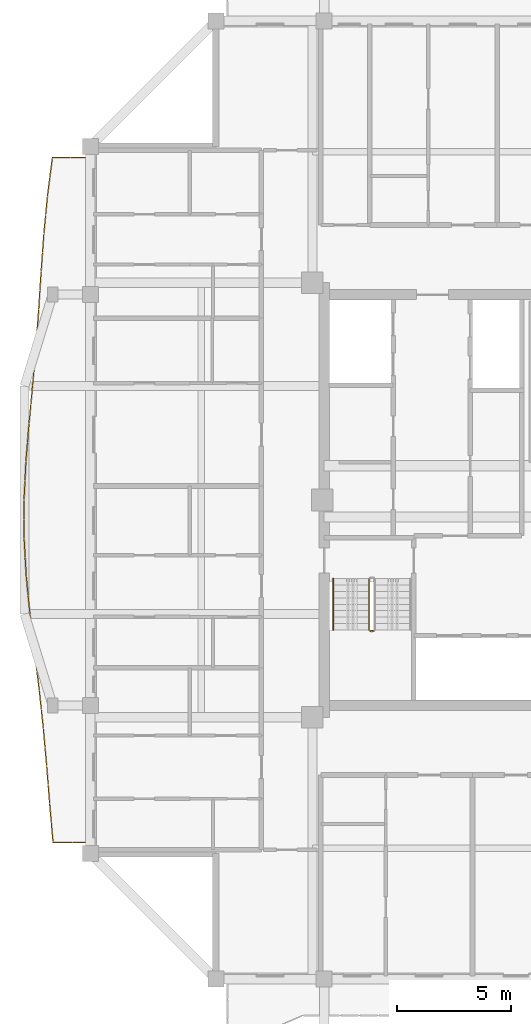
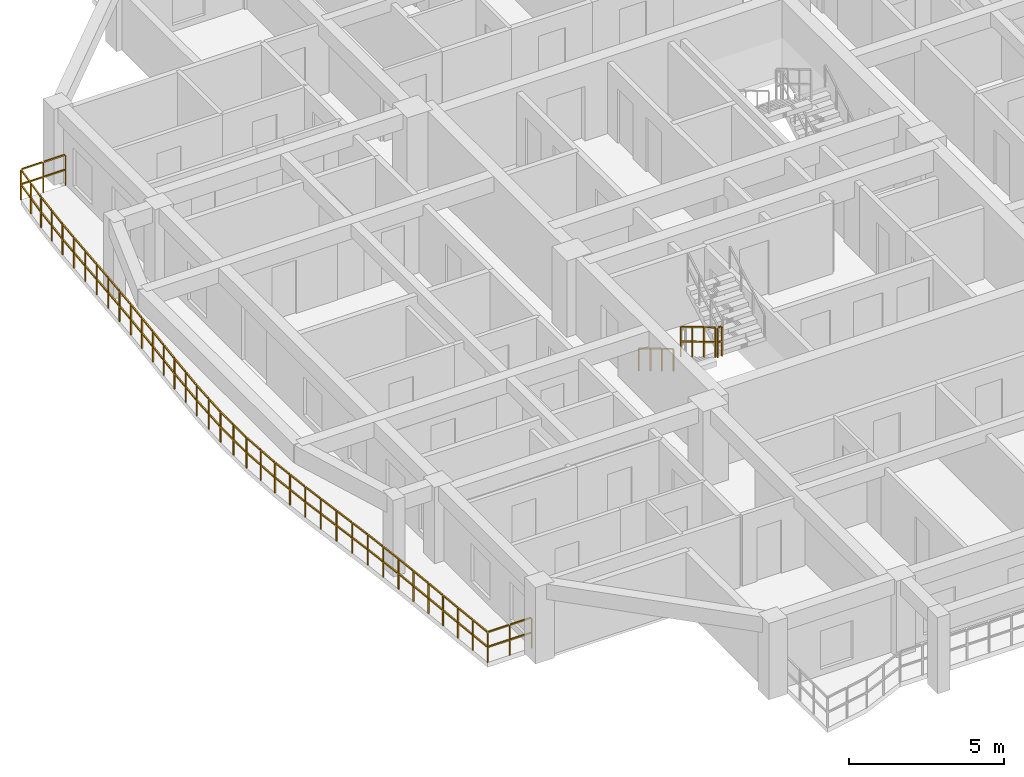
# One storey, part 11 of 14: 4 railings.
"""IFC4 building model written with IfcOpenShell, lengths in metres."""

from ifc_helpers import new_model, si_unit, direction, frame, origin, origin_2d, place, context, subcontext, project, spatial, rectangle, extrude, material, type_object, element, save


model = new_model("IFC4")

# Units and contexts
model_context = context("Model", 3, precision=1e-05, world=origin(), true_north=direction((0.0, 1.0)))
body_context = subcontext(model_context, "Body", "Model", "MODEL_VIEW")
ifc_project = project(units=[si_unit("LENGTHUNIT", "METRE"), si_unit("AREAUNIT", "SQUARE_METRE"), si_unit("VOLUMEUNIT", "CUBIC_METRE"), si_unit("PLANEANGLEUNIT", "RADIAN"), si_unit("MASSUNIT", "GRAM", prefix="KILO")], contexts=[model_context])

# Site, building, storey
site_placement = place(None, origin())
site = spatial("IfcSite", under=ifc_project, at=site_placement, CompositionType="ELEMENT")
building_placement = place(site_placement, origin())
building = spatial("IfcBuilding", under=site, at=building_placement, Name="Saelheon Loggia Tower", CompositionType="ELEMENT")
storey_placement = place(building_placement, frame((0.0, 0.0, 230.10009765625)))
storey = spatial("IfcBuildingStorey", under=building, at=storey_placement, Name="L71", CompositionType="ELEMENT", Elevation=230.10009765625)

# Railings
ifc_material_1 = material(Name="Architectural Precast Concrete and Laminated Glass Guard", Category="concrete")
railing_type_1 = type_object("IfcRailingType", Name="Guard_Loggia_RL_LOG", PredefinedType="BALUSTRADE", material=ifc_material_1)
railing_1_placement = place(storey_placement, frame((21.25, 42.0, 0.0)))
element("IfcRailing", 1, at=railing_1_placement, inside=storey, type_object=railing_type_1, Name="L71 West Loggia Balustrade", PredefinedType="BALUSTRADE", context=body_context, shape_type="SweptSolid", body=[
    extrude(rectangle(XDim=0.048095703125, YDim=0.048095703125, at=origin_2d()), frame((-0.033203125, 0.0, 1.19580078125), z_axis=(-1.0, 0.0, 0.0), x_axis=(0.0, -1.0, 0.0)), (0.0, 0.0, 1.0), 0.765869140625),
    extrude(rectangle(XDim=0.048095703125, YDim=0.048095703125, at=origin_2d()), frame((-0.033203125, 0.0, 0.60986328125), z_axis=(-1.0, 0.0, 0.0), x_axis=(0.0, -1.0, 0.0)), (0.0, 0.0, 1.0), 0.765869140625),
    extrude(rectangle(XDim=0.048095703125, YDim=0.048095703125, at=origin_2d()), frame((-0.865478515625, 0.0, 1.19580078125), z_axis=(-1.0, 0.0, 0.0), x_axis=(0.0, -1.0, 0.0)), (0.0, 0.0, 1.0), 0.765869140625),
    extrude(rectangle(XDim=0.048095703125, YDim=0.048095703125, at=origin_2d()), frame((-0.865478515625, 0.0, 0.60986328125), z_axis=(-1.0, 0.0, 0.0), x_axis=(0.0, -1.0, 0.0)), (0.0, 0.0, 1.0), 0.765869140625),
    extrude(rectangle(XDim=0.048095703125, YDim=0.048095703125, at=origin_2d()), frame((-1.668701171875, -0.032958984375, 1.19580078125), z_axis=(-0.12755645116, -0.991831312153, 0.0), x_axis=(0.991831312153, -0.12755645116, 0.0)), (0.0, 0.0, 1.0), 0.773681640625),
    extrude(rectangle(XDim=0.048095703125, YDim=0.048095703125, at=origin_2d()), frame((-1.668701171875, -0.032958984375, 0.60986328125), z_axis=(-0.12755645116, -0.991831312153, 0.0), x_axis=(0.991831312153, -0.12755645116, 0.0)), (0.0, 0.0, 1.0), 0.773681640625),
    extrude(rectangle(XDim=0.048095703125, YDim=0.048095703125, at=origin_2d()), frame((-1.77587890625, -0.866455078125, 1.19580078125), z_axis=(-0.12755645116, -0.991831312153, 0.0), x_axis=(0.991831312153, -0.12755645116, 0.0)), (0.0, 0.0, 1.0), 0.773681640625),
    extrude(rectangle(XDim=0.048095703125, YDim=0.048095703125, at=origin_2d()), frame((-1.77587890625, -0.866455078125, 0.60986328125), z_axis=(-0.12755645116, -0.991831312153, 0.0), x_axis=(0.991831312153, -0.12755645116, 0.0)), (0.0, 0.0, 1.0), 0.773681640625),
    extrude(rectangle(XDim=0.048095703125, YDim=0.048095703125, at=origin_2d()), frame((-1.882080078125, -1.699951171875, 1.19580078125), z_axis=(-0.095084372912, -0.995469217017, 0.0), x_axis=(0.995469217017, -0.095084372912, 0.0)), (0.0, 0.0, 1.0), 0.7705078125),
    extrude(rectangle(XDim=0.048095703125, YDim=0.048095703125, at=origin_2d()), frame((-1.882080078125, -1.699951171875, 0.60986328125), z_axis=(-0.095084372912, -0.995469217017, 0.0), x_axis=(0.995469217017, -0.095084372912, 0.0)), (0.0, 0.0, 1.0), 0.7705078125),
    extrude(rectangle(XDim=0.048095703125, YDim=0.048095703125, at=origin_2d()), frame((-1.961669921875, -2.533203125, 1.19580078125), z_axis=(-0.095084372912, -0.995469217017, 0.0), x_axis=(0.995469217017, -0.095084372912, 0.0)), (0.0, 0.0, 1.0), 0.7705078125),
    extrude(rectangle(XDim=0.048095703125, YDim=0.048095703125, at=origin_2d()), frame((-1.961669921875, -2.533203125, 0.60986328125), z_axis=(-0.095084372912, -0.995469217017, 0.0), x_axis=(0.995469217017, -0.095084372912, 0.0)), (0.0, 0.0, 1.0), 0.7705078125),
    extrude(rectangle(XDim=0.048095703125, YDim=0.048095703125, at=origin_2d()), frame((-2.04052734375, -3.366455078125, 1.19580078125), z_axis=(-0.07188037557, -0.997413260193, 0.0), x_axis=(0.997413260193, -0.07188037557, 0.0)), (0.0, 0.0, 1.0), 0.76904296875),
    extrude(rectangle(XDim=0.048095703125, YDim=0.048095703125, at=origin_2d()), frame((-2.04052734375, -3.366455078125, 0.60986328125), z_axis=(-0.07188037557, -0.997413260193, 0.0), x_axis=(0.997413260193, -0.07188037557, 0.0)), (0.0, 0.0, 1.0), 0.76904296875),
    extrude(rectangle(XDim=0.048095703125, YDim=0.048095703125, at=origin_2d()), frame((-2.1005859375, -4.19970703125, 1.19580078125), z_axis=(-0.07188037557, -0.997413260193, 0.0), x_axis=(0.997413260193, -0.07188037557, 0.0)), (0.0, 0.0, 1.0), 0.76904296875),
    extrude(rectangle(XDim=0.048095703125, YDim=0.048095703125, at=origin_2d()), frame((-2.1005859375, -4.19970703125, 0.60986328125), z_axis=(-0.07188037557, -0.997413260193, 0.0), x_axis=(0.997413260193, -0.07188037557, 0.0)), (0.0, 0.0, 1.0), 0.76904296875),
    extrude(rectangle(XDim=0.048095703125, YDim=0.048095703125, at=origin_2d()), frame((-2.160400390625, -5.033203125, 1.19580078125), z_axis=(-0.064753226783, -0.997901307556, 0.0), x_axis=(0.997901307556, -0.064753226783, 0.0)), (0.0, 0.0, 1.0), 0.7685546875),
    extrude(rectangle(XDim=0.048095703125, YDim=0.048095703125, at=origin_2d()), frame((-2.160400390625, -5.033203125, 0.60986328125), z_axis=(-0.064753226783, -0.997901307556, 0.0), x_axis=(0.997901307556, -0.064753226783, 0.0)), (0.0, 0.0, 1.0), 0.7685546875),
    extrude(rectangle(XDim=0.048095703125, YDim=0.048095703125, at=origin_2d()), frame((-2.21435546875, -5.866455078125, 1.19580078125), z_axis=(-0.064753226783, -0.997901307556, 0.0), x_axis=(0.997901307556, -0.064753226783, 0.0)), (0.0, 0.0, 1.0), 0.7685546875),
    extrude(rectangle(XDim=0.048095703125, YDim=0.048095703125, at=origin_2d()), frame((-2.21435546875, -5.866455078125, 0.60986328125), z_axis=(-0.064753226783, -0.997901307556, 0.0), x_axis=(0.997901307556, -0.064753226783, 0.0)), (0.0, 0.0, 1.0), 0.7685546875),
    extrude(rectangle(XDim=0.048095703125, YDim=0.048095703125, at=origin_2d()), frame((-2.268798828125, -6.699951171875, 1.19580078125), z_axis=(-0.072762955311, -0.997349262964, 0.0), x_axis=(0.997349262964, -0.072762955311, 0.0)), (0.0, 0.0, 1.0), 0.76904296875),
    extrude(rectangle(XDim=0.048095703125, YDim=0.048095703125, at=origin_2d()), frame((-2.268798828125, -6.699951171875, 0.60986328125), z_axis=(-0.072762955311, -0.997349262964, 0.0), x_axis=(0.997349262964, -0.072762955311, 0.0)), (0.0, 0.0, 1.0), 0.76904296875),
    extrude(rectangle(XDim=0.048095703125, YDim=0.048095703125, at=origin_2d()), frame((-2.32958984375, -7.533203125, 1.19580078125), z_axis=(-0.072762955311, -0.997349262964, 0.0), x_axis=(0.997349262964, -0.072762955311, 0.0)), (0.0, 0.0, 1.0), 0.76904296875),
    extrude(rectangle(XDim=0.048095703125, YDim=0.048095703125, at=origin_2d()), frame((-2.32958984375, -7.533203125, 0.60986328125), z_axis=(-0.072762955311, -0.997349262964, 0.0), x_axis=(0.997349262964, -0.072762955311, 0.0)), (0.0, 0.0, 1.0), 0.76904296875),
    extrude(rectangle(XDim=0.048095703125, YDim=0.048095703125, at=origin_2d()), frame((-2.390869140625, -8.366455078125, 1.19580078125), z_axis=(-0.086390322179, -0.99626136743, 0.0), x_axis=(0.99626136743, -0.086390322179, 0.0)), (0.0, 0.0, 1.0), 0.77001953125),
    extrude(rectangle(XDim=0.048095703125, YDim=0.048095703125, at=origin_2d()), frame((-2.390869140625, -8.366455078125, 0.60986328125), z_axis=(-0.086390322179, -0.99626136743, 0.0), x_axis=(0.99626136743, -0.086390322179, 0.0)), (0.0, 0.0, 1.0), 0.77001953125),
    extrude(rectangle(XDim=0.048095703125, YDim=0.048095703125, at=origin_2d()), frame((-2.463134765625, -9.19970703125, 1.19580078125), z_axis=(-0.086390322179, -0.99626136743, 0.0), x_axis=(0.99626136743, -0.086390322179, 0.0)), (0.0, 0.0, 1.0), 0.77001953125),
    extrude(rectangle(XDim=0.048095703125, YDim=0.048095703125, at=origin_2d()), frame((-2.463134765625, -9.19970703125, 0.60986328125), z_axis=(-0.086390322179, -0.99626136743, 0.0), x_axis=(0.99626136743, -0.086390322179, 0.0)), (0.0, 0.0, 1.0), 0.77001953125),
    extrude(rectangle(XDim=0.048095703125, YDim=0.048095703125, at=origin_2d()), frame((-2.53564453125, -10.033203125, 1.19580078125), z_axis=(-0.092613280801, -0.995702154371, 0.0), x_axis=(0.995702154371, -0.092613280801, 0.0)), (0.0, 0.0, 1.0), 0.7705078125),
    extrude(rectangle(XDim=0.048095703125, YDim=0.048095703125, at=origin_2d()), frame((-2.53564453125, -10.033203125, 0.60986328125), z_axis=(-0.092613280801, -0.995702154371, 0.0), x_axis=(0.995702154371, -0.092613280801, 0.0)), (0.0, 0.0, 1.0), 0.7705078125),
    extrude(rectangle(XDim=0.048095703125, YDim=0.048095703125, at=origin_2d()), frame((-2.613037109375, -10.866455078125, 1.19580078125), z_axis=(-0.092613280801, -0.995702154371, 0.0), x_axis=(0.995702154371, -0.092613280801, 0.0)), (0.0, 0.0, 1.0), 0.7705078125),
    extrude(rectangle(XDim=0.048095703125, YDim=0.048095703125, at=origin_2d()), frame((-2.613037109375, -10.866455078125, 0.60986328125), z_axis=(-0.092613280801, -0.995702154371, 0.0), x_axis=(0.995702154371, -0.092613280801, 0.0)), (0.0, 0.0, 1.0), 0.7705078125),
    extrude(rectangle(XDim=0.048095703125, YDim=0.048095703125, at=origin_2d()), frame((-2.690185546875, -11.699951171875, 1.19580078125), z_axis=(-0.080894281966, -0.996722687183, 0.0), x_axis=(0.996722687183, -0.080894281966, 0.0)), (0.0, 0.0, 1.0), 0.76953125),
    extrude(rectangle(XDim=0.048095703125, YDim=0.048095703125, at=origin_2d()), frame((-2.690185546875, -11.699951171875, 0.60986328125), z_axis=(-0.080894281966, -0.996722687183, 0.0), x_axis=(0.996722687183, -0.080894281966, 0.0)), (0.0, 0.0, 1.0), 0.76953125),
    extrude(rectangle(XDim=0.048095703125, YDim=0.048095703125, at=origin_2d()), frame((-2.7578125, -12.533203125, 1.19580078125), z_axis=(-0.080894281966, -0.996722687183, 0.0), x_axis=(0.996722687183, -0.080894281966, 0.0)), (0.0, 0.0, 1.0), 0.76953125),
    extrude(rectangle(XDim=0.048095703125, YDim=0.048095703125, at=origin_2d()), frame((-2.7578125, -12.533203125, 0.60986328125), z_axis=(-0.080894281966, -0.996722687183, 0.0), x_axis=(0.996722687183, -0.080894281966, 0.0)), (0.0, 0.0, 1.0), 0.76953125),
    extrude(rectangle(XDim=0.048095703125, YDim=0.048095703125, at=origin_2d()), frame((-2.824462890625, -13.366455078125, 1.19580078125), z_axis=(-0.047843201799, -0.998854858346, 0.0), x_axis=(0.998854858346, -0.047843201799, 0.0)), (0.0, 0.0, 1.0), 0.767822265625),
    extrude(rectangle(XDim=0.048095703125, YDim=0.048095703125, at=origin_2d()), frame((-2.824462890625, -13.366455078125, 0.60986328125), z_axis=(-0.047843201799, -0.998854858346, 0.0), x_axis=(0.998854858346, -0.047843201799, 0.0)), (0.0, 0.0, 1.0), 0.767822265625),
    extrude(rectangle(XDim=0.048095703125, YDim=0.048095703125, at=origin_2d()), frame((-2.8642578125, -14.19970703125, 1.19580078125), z_axis=(-0.047843201799, -0.998854858346, 0.0), x_axis=(0.998854858346, -0.047843201799, 0.0)), (0.0, 0.0, 1.0), 0.767822265625),
    extrude(rectangle(XDim=0.048095703125, YDim=0.048095703125, at=origin_2d()), frame((-2.8642578125, -14.19970703125, 0.60986328125), z_axis=(-0.047843201799, -0.998854858346, 0.0), x_axis=(0.998854858346, -0.047843201799, 0.0)), (0.0, 0.0, 1.0), 0.767822265625),
    extrude(rectangle(XDim=0.048095703125, YDim=0.048095703125, at=origin_2d()), frame((-2.902587890625, -15.033203125, 1.19580078125), z_axis=(0.001611247359, -0.99999870194, 0.0), x_axis=(0.99999870194, 0.001611247359, 0.0)), (0.0, 0.0, 1.0), 0.766845703125),
    extrude(rectangle(XDim=0.048095703125, YDim=0.048095703125, at=origin_2d()), frame((-2.902587890625, -15.033203125, 0.60986328125), z_axis=(0.001611247359, -0.99999870194, 0.0), x_axis=(0.99999870194, 0.001611247359, 0.0)), (0.0, 0.0, 1.0), 0.766845703125),
    extrude(rectangle(XDim=0.048095703125, YDim=0.048095703125, at=origin_2d()), frame((-2.901123046875, -15.86669921875, 1.19580078125), z_axis=(0.001611247359, -0.99999870194, 0.0), x_axis=(0.99999870194, 0.001611247359, 0.0)), (0.0, 0.0, 1.0), 0.766845703125),
    extrude(rectangle(XDim=0.048095703125, YDim=0.048095703125, at=origin_2d()), frame((-2.901123046875, -15.86669921875, 0.60986328125), z_axis=(0.001611247359, -0.99999870194, 0.0), x_axis=(0.99999870194, 0.001611247359, 0.0)), (0.0, 0.0, 1.0), 0.766845703125),
    extrude(rectangle(XDim=0.048095703125, YDim=0.048095703125, at=origin_2d()), frame((-2.898193359375, -16.699951171875, 1.19580078125), z_axis=(0.05485429076, -0.998494369932, 0.0), x_axis=(0.998494369932, 0.05485429076, 0.0)), (0.0, 0.0, 1.0), 0.76806640625),
    extrude(rectangle(XDim=0.048095703125, YDim=0.048095703125, at=origin_2d()), frame((-2.898193359375, -16.699951171875, 0.60986328125), z_axis=(0.05485429076, -0.998494369932, 0.0), x_axis=(0.998494369932, 0.05485429076, 0.0)), (0.0, 0.0, 1.0), 0.76806640625),
    extrude(rectangle(XDim=0.048095703125, YDim=0.048095703125, at=origin_2d()), frame((-2.852294921875, -17.533203125, 1.19580078125), z_axis=(0.05485429076, -0.998494369932, 0.0), x_axis=(0.998494369932, 0.05485429076, 0.0)), (0.0, 0.0, 1.0), 0.76806640625),
    extrude(rectangle(XDim=0.048095703125, YDim=0.048095703125, at=origin_2d()), frame((-2.852294921875, -17.533203125, 0.60986328125), z_axis=(0.05485429076, -0.998494369932, 0.0), x_axis=(0.998494369932, 0.05485429076, 0.0)), (0.0, 0.0, 1.0), 0.76806640625),
    extrude(rectangle(XDim=0.048095703125, YDim=0.048095703125, at=origin_2d()), frame((-2.80517578125, -18.3662109375, 1.19580078125), z_axis=(0.097814897241, -0.995204625129, 0.0), x_axis=(0.995204625129, 0.097814897241, 0.0)), (0.0, 0.0, 1.0), 0.77099609375),
    extrude(rectangle(XDim=0.048095703125, YDim=0.048095703125, at=origin_2d()), frame((-2.80517578125, -18.3662109375, 0.60986328125), z_axis=(0.097814897241, -0.995204625129, 0.0), x_axis=(0.995204625129, 0.097814897241, 0.0)), (0.0, 0.0, 1.0), 0.77099609375),
    extrude(rectangle(XDim=0.048095703125, YDim=0.048095703125, at=origin_2d()), frame((-2.72314453125, -19.19970703125, 1.19580078125), z_axis=(0.097814897241, -0.995204625129, 0.0), x_axis=(0.995204625129, 0.097814897241, 0.0)), (0.0, 0.0, 1.0), 0.77099609375),
    extrude(rectangle(XDim=0.048095703125, YDim=0.048095703125, at=origin_2d()), frame((-2.72314453125, -19.19970703125, 0.60986328125), z_axis=(0.097814897241, -0.995204625129, 0.0), x_axis=(0.995204625129, 0.097814897241, 0.0)), (0.0, 0.0, 1.0), 0.77099609375),
    extrude(rectangle(XDim=0.048095703125, YDim=0.048095703125, at=origin_2d()), frame((-2.640625, -20.032958984375, 1.19580078125), z_axis=(0.120257541517, -0.992742727855, 0.0), x_axis=(0.992742727855, 0.120257541517, 0.0)), (0.0, 0.0, 1.0), 0.77294921875),
    extrude(rectangle(XDim=0.048095703125, YDim=0.048095703125, at=origin_2d()), frame((-2.640625, -20.032958984375, 0.60986328125), z_axis=(0.120257541517, -0.992742727855, 0.0), x_axis=(0.992742727855, 0.120257541517, 0.0)), (0.0, 0.0, 1.0), 0.77294921875),
    extrude(rectangle(XDim=0.048095703125, YDim=0.048095703125, at=origin_2d()), frame((-2.53955078125, -20.866455078125, 1.19580078125), z_axis=(0.120257541517, -0.992742727855, 0.0), x_axis=(0.992742727855, 0.120257541517, 0.0)), (0.0, 0.0, 1.0), 0.77294921875),
    extrude(rectangle(XDim=0.048095703125, YDim=0.048095703125, at=origin_2d()), frame((-2.53955078125, -20.866455078125, 0.60986328125), z_axis=(0.120257541517, -0.992742727855, 0.0), x_axis=(0.992742727855, 0.120257541517, 0.0)), (0.0, 0.0, 1.0), 0.77294921875),
    extrude(rectangle(XDim=0.048095703125, YDim=0.048095703125, at=origin_2d()), frame((-2.438720703125, -21.69970703125, 1.19580078125), z_axis=(0.120704864323, -0.992688438398, 0.0), x_axis=(0.992688438398, 0.120704864323, 0.0)), (0.0, 0.0, 1.0), 0.77294921875),
    extrude(rectangle(XDim=0.048095703125, YDim=0.048095703125, at=origin_2d()), frame((-2.438720703125, -21.69970703125, 0.60986328125), z_axis=(0.120704864323, -0.992688438398, 0.0), x_axis=(0.992688438398, 0.120704864323, 0.0)), (0.0, 0.0, 1.0), 0.77294921875),
    extrude(rectangle(XDim=0.048095703125, YDim=0.048095703125, at=origin_2d()), frame((-2.33740234375, -22.532958984375, 1.19580078125), z_axis=(0.120704864323, -0.992688438398, 0.0), x_axis=(0.992688438398, 0.120704864323, 0.0)), (0.0, 0.0, 1.0), 0.77294921875),
    extrude(rectangle(XDim=0.048095703125, YDim=0.048095703125, at=origin_2d()), frame((-2.33740234375, -22.532958984375, 0.60986328125), z_axis=(0.120704864323, -0.992688438398, 0.0), x_axis=(0.992688438398, 0.120704864323, 0.0)), (0.0, 0.0, 1.0), 0.77294921875),
    extrude(rectangle(XDim=0.048095703125, YDim=0.048095703125, at=origin_2d()), frame((-2.236572265625, -23.3662109375, 1.19580078125), z_axis=(0.106178269107, -0.994347110002, 0.0), x_axis=(0.994347110002, 0.106178269107, 0.0)), (0.0, 0.0, 1.0), 0.771728515625),
    extrude(rectangle(XDim=0.048095703125, YDim=0.048095703125, at=origin_2d()), frame((-2.236572265625, -23.3662109375, 0.60986328125), z_axis=(0.106178269107, -0.994347110002, 0.0), x_axis=(0.994347110002, 0.106178269107, 0.0)), (0.0, 0.0, 1.0), 0.771728515625),
    extrude(rectangle(XDim=0.048095703125, YDim=0.048095703125, at=origin_2d()), frame((-2.1474609375, -24.19970703125, 1.19580078125), z_axis=(0.106178269107, -0.994347110002, 0.0), x_axis=(0.994347110002, 0.106178269107, 0.0)), (0.0, 0.0, 1.0), 0.771728515625),
    extrude(rectangle(XDim=0.048095703125, YDim=0.048095703125, at=origin_2d()), frame((-2.1474609375, -24.19970703125, 0.60986328125), z_axis=(0.106178269107, -0.994347110002, 0.0), x_axis=(0.994347110002, 0.106178269107, 0.0)), (0.0, 0.0, 1.0), 0.771728515625),
    extrude(rectangle(XDim=0.048095703125, YDim=0.048095703125, at=origin_2d()), frame((-2.05908203125, -25.033203125, 1.19580078125), z_axis=(0.088417548039, -0.99608349911, 0.0), x_axis=(0.99608349911, 0.088417548039, 0.0)), (0.0, 0.0, 1.0), 0.770263671875),
    extrude(rectangle(XDim=0.048095703125, YDim=0.048095703125, at=origin_2d()), frame((-2.05908203125, -25.033203125, 0.60986328125), z_axis=(0.088417548039, -0.99608349911, 0.0), x_axis=(0.99608349911, 0.088417548039, 0.0)), (0.0, 0.0, 1.0), 0.770263671875),
    extrude(rectangle(XDim=0.048095703125, YDim=0.048095703125, at=origin_2d()), frame((-1.985107421875, -25.866455078125, 1.19580078125), z_axis=(0.088417548039, -0.99608349911, 0.0), x_axis=(0.99608349911, 0.088417548039, 0.0)), (0.0, 0.0, 1.0), 0.770263671875),
    extrude(rectangle(XDim=0.048095703125, YDim=0.048095703125, at=origin_2d()), frame((-1.985107421875, -25.866455078125, 0.60986328125), z_axis=(0.088417548039, -0.99608349911, 0.0), x_axis=(0.99608349911, 0.088417548039, 0.0)), (0.0, 0.0, 1.0), 0.770263671875),
    extrude(rectangle(XDim=0.048095703125, YDim=0.048095703125, at=origin_2d()), frame((-1.911376953125, -26.699951171875, 1.19580078125), z_axis=(0.07973361399, -0.996816207132, 0.0), x_axis=(0.996816207132, 0.07973361399, 0.0)), (0.0, 0.0, 1.0), 0.76953125),
    extrude(rectangle(XDim=0.048095703125, YDim=0.048095703125, at=origin_2d()), frame((-1.911376953125, -26.699951171875, 0.60986328125), z_axis=(0.07973361399, -0.996816207132, 0.0), x_axis=(0.996816207132, 0.07973361399, 0.0)), (0.0, 0.0, 1.0), 0.76953125),
    extrude(rectangle(XDim=0.048095703125, YDim=0.048095703125, at=origin_2d()), frame((-1.8447265625, -27.533203125, 1.19580078125), z_axis=(0.07973361399, -0.996816207132, 0.0), x_axis=(0.996816207132, 0.07973361399, 0.0)), (0.0, 0.0, 1.0), 0.76953125),
    extrude(rectangle(XDim=0.048095703125, YDim=0.048095703125, at=origin_2d()), frame((-1.8447265625, -27.533203125, 0.60986328125), z_axis=(0.07973361399, -0.996816207132, 0.0), x_axis=(0.996816207132, 0.07973361399, 0.0)), (0.0, 0.0, 1.0), 0.76953125),
    extrude(rectangle(XDim=0.048095703125, YDim=0.048095703125, at=origin_2d()), frame((-1.77783203125, -28.366455078125, 1.19580078125), z_axis=(0.087114455938, -0.996198309357, 0.0), x_axis=(0.996198309357, 0.087114455938, 0.0)), (0.0, 0.0, 1.0), 0.77001953125),
    extrude(rectangle(XDim=0.048095703125, YDim=0.048095703125, at=origin_2d()), frame((-1.77783203125, -28.366455078125, 0.60986328125), z_axis=(0.087114455938, -0.996198309357, 0.0), x_axis=(0.996198309357, 0.087114455938, 0.0)), (0.0, 0.0, 1.0), 0.77001953125),
    extrude(rectangle(XDim=0.048095703125, YDim=0.048095703125, at=origin_2d()), frame((-1.705078125, -29.19970703125, 1.19580078125), z_axis=(0.087114455938, -0.996198309357, 0.0), x_axis=(0.996198309357, 0.087114455938, 0.0)), (0.0, 0.0, 1.0), 0.77001953125),
    extrude(rectangle(XDim=0.048095703125, YDim=0.048095703125, at=origin_2d()), frame((-1.705078125, -29.19970703125, 0.60986328125), z_axis=(0.087114455938, -0.996198309357, 0.0), x_axis=(0.996198309357, 0.087114455938, 0.0)), (0.0, 0.0, 1.0), 0.77001953125),
    extrude(rectangle(XDim=0.048095703125, YDim=0.048095703125, at=origin_2d()), frame((-1.601806640625, -30.0, 1.19580078125), z_axis=(1.0, 0.0, 0.0), x_axis=(0.0, 1.0, 0.0)), (0.0, 0.0, 1.0), 0.7509765625),
    extrude(rectangle(XDim=0.048095703125, YDim=0.048095703125, at=origin_2d()), frame((-1.601806640625, -30.0, 0.60986328125), z_axis=(1.0, 0.0, 0.0), x_axis=(0.0, 1.0, 0.0)), (0.0, 0.0, 1.0), 0.7509765625),
    extrude(rectangle(XDim=0.048095703125, YDim=0.048095703125, at=origin_2d()), frame((-0.7841796875, -30.0, 1.19580078125), z_axis=(1.0, 0.0, 0.0), x_axis=(0.0, 1.0, 0.0)), (0.0, 0.0, 1.0), 0.7509765625),
    extrude(rectangle(XDim=0.048095703125, YDim=0.048095703125, at=origin_2d()), frame((-0.7841796875, -30.0, 0.60986328125), z_axis=(1.0, 0.0, 0.0), x_axis=(0.0, 1.0, 0.0)), (0.0, 0.0, 1.0), 0.7509765625),
    extrude(rectangle(XDim=0.0419921875, YDim=0.0419921875, at=origin_2d()), origin(), (0.0, 0.0, 1.0), 1.16796875),
    extrude(rectangle(XDim=0.0419921875, YDim=0.0419921875, at=origin_2d()), frame((-0.832275390625, 0.0, 0.0)), (0.0, 0.0, 1.0), 1.16796875),
    extrude(rectangle(XDim=0.0419921875, YDim=0.0419921875, at=origin_2d()), frame((-1.66455078125, 0.0, 0.0)), (0.0, 0.0, 1.0), 1.16796875),
    extrude(rectangle(XDim=0.0419921875, YDim=0.0419921875, at=origin_2d()), frame((-1.771728515625, -0.83349609375, 0.0)), (0.0, 0.0, 1.0), 1.16796875),
    extrude(rectangle(XDim=0.0419921875, YDim=0.0419921875, at=origin_2d()), frame((-1.87890625, -1.666748046875, 0.0)), (0.0, 0.0, 1.0), 1.16796875),
    extrude(rectangle(XDim=0.0419921875, YDim=0.0419921875, at=origin_2d()), frame((-1.95849609375, -2.5, 0.0)), (0.0, 0.0, 1.0), 1.16796875),
    extrude(rectangle(XDim=0.0419921875, YDim=0.0419921875, at=origin_2d()), frame((-2.0380859375, -3.333251953125, 0.0)), (0.0, 0.0, 1.0), 1.16796875),
    extrude(rectangle(XDim=0.0419921875, YDim=0.0419921875, at=origin_2d()), frame((-2.09814453125, -4.16650390625, 0.0)), (0.0, 0.0, 1.0), 1.16796875),
    extrude(rectangle(XDim=0.0419921875, YDim=0.0419921875, at=origin_2d()), frame((-2.158203125, -5.0, 0.0)), (0.0, 0.0, 1.0), 1.16796875),
    extrude(rectangle(XDim=0.0419921875, YDim=0.0419921875, at=origin_2d()), frame((-2.21240234375, -5.83349609375, 0.0)), (0.0, 0.0, 1.0), 1.16796875),
    extrude(rectangle(XDim=0.0419921875, YDim=0.0419921875, at=origin_2d()), frame((-2.266357421875, -6.666748046875, 0.0)), (0.0, 0.0, 1.0), 1.16796875),
    extrude(rectangle(XDim=0.0419921875, YDim=0.0419921875, at=origin_2d()), frame((-2.3271484375, -7.5, 0.0)), (0.0, 0.0, 1.0), 1.16796875),
    extrude(rectangle(XDim=0.0419921875, YDim=0.0419921875, at=origin_2d()), frame((-2.387939453125, -8.333251953125, 0.0)), (0.0, 0.0, 1.0), 1.16796875),
    extrude(rectangle(XDim=0.0419921875, YDim=0.0419921875, at=origin_2d()), frame((-2.460205078125, -9.16650390625, 0.0)), (0.0, 0.0, 1.0), 1.16796875),
    extrude(rectangle(XDim=0.0419921875, YDim=0.0419921875, at=origin_2d()), frame((-2.532470703125, -10.0, 0.0)), (0.0, 0.0, 1.0), 1.16796875),
    extrude(rectangle(XDim=0.0419921875, YDim=0.0419921875, at=origin_2d()), frame((-2.60986328125, -10.83349609375, 0.0)), (0.0, 0.0, 1.0), 1.16796875),
    extrude(rectangle(XDim=0.0419921875, YDim=0.0419921875, at=origin_2d()), frame((-2.6875, -11.666748046875, 0.0)), (0.0, 0.0, 1.0), 1.16796875),
    extrude(rectangle(XDim=0.0419921875, YDim=0.0419921875, at=origin_2d()), frame((-2.755126953125, -12.5, 0.0)), (0.0, 0.0, 1.0), 1.16796875),
    extrude(rectangle(XDim=0.0419921875, YDim=0.0419921875, at=origin_2d()), frame((-2.82275390625, -13.333251953125, 0.0)), (0.0, 0.0, 1.0), 1.16796875),
    extrude(rectangle(XDim=0.0419921875, YDim=0.0419921875, at=origin_2d()), frame((-2.86279296875, -14.16650390625, 0.0)), (0.0, 0.0, 1.0), 1.16796875),
    extrude(rectangle(XDim=0.0419921875, YDim=0.0419921875, at=origin_2d()), frame((-2.902587890625, -15.0, 0.0)), (0.0, 0.0, 1.0), 1.16796875),
    extrude(rectangle(XDim=0.0419921875, YDim=0.0419921875, at=origin_2d()), frame((-2.9013671875, -15.83349609375, 0.0)), (0.0, 0.0, 1.0), 1.16796875),
    extrude(rectangle(XDim=0.0419921875, YDim=0.0419921875, at=origin_2d()), frame((-2.89990234375, -16.666748046875, 0.0)), (0.0, 0.0, 1.0), 1.16796875),
    extrude(rectangle(XDim=0.0419921875, YDim=0.0419921875, at=origin_2d()), frame((-2.85400390625, -17.5, 0.0)), (0.0, 0.0, 1.0), 1.16796875),
    extrude(rectangle(XDim=0.0419921875, YDim=0.0419921875, at=origin_2d()), frame((-2.808349609375, -18.333251953125, 0.0)), (0.0, 0.0, 1.0), 1.16796875),
    extrude(rectangle(XDim=0.0419921875, YDim=0.0419921875, at=origin_2d()), frame((-2.7265625, -19.16650390625, 0.0)), (0.0, 0.0, 1.0), 1.16796875),
    extrude(rectangle(XDim=0.0419921875, YDim=0.0419921875, at=origin_2d()), frame((-2.64453125, -20.0, 0.0)), (0.0, 0.0, 1.0), 1.16796875),
    extrude(rectangle(XDim=0.0419921875, YDim=0.0419921875, at=origin_2d()), frame((-2.54345703125, -20.83349609375, 0.0)), (0.0, 0.0, 1.0), 1.16796875),
    extrude(rectangle(XDim=0.0419921875, YDim=0.0419921875, at=origin_2d()), frame((-2.442626953125, -21.666748046875, 0.0)), (0.0, 0.0, 1.0), 1.16796875),
    extrude(rectangle(XDim=0.0419921875, YDim=0.0419921875, at=origin_2d()), frame((-2.34130859375, -22.5, 0.0)), (0.0, 0.0, 1.0), 1.16796875),
    extrude(rectangle(XDim=0.0419921875, YDim=0.0419921875, at=origin_2d()), frame((-2.239990234375, -23.333251953125, 0.0)), (0.0, 0.0, 1.0), 1.16796875),
    extrude(rectangle(XDim=0.0419921875, YDim=0.0419921875, at=origin_2d()), frame((-2.15087890625, -24.16650390625, 0.0)), (0.0, 0.0, 1.0), 1.16796875),
    extrude(rectangle(XDim=0.0419921875, YDim=0.0419921875, at=origin_2d()), frame((-2.06201171875, -25.0, 0.0)), (0.0, 0.0, 1.0), 1.16796875),
    extrude(rectangle(XDim=0.0419921875, YDim=0.0419921875, at=origin_2d()), frame((-1.988037109375, -25.83349609375, 0.0)), (0.0, 0.0, 1.0), 1.16796875),
    extrude(rectangle(XDim=0.0419921875, YDim=0.0419921875, at=origin_2d()), frame((-1.9140625, -26.666748046875, 0.0)), (0.0, 0.0, 1.0), 1.16796875),
    extrude(rectangle(XDim=0.0419921875, YDim=0.0419921875, at=origin_2d()), frame((-1.847412109375, -27.5, 0.0)), (0.0, 0.0, 1.0), 1.16796875),
    extrude(rectangle(XDim=0.0419921875, YDim=0.0419921875, at=origin_2d()), frame((-1.78076171875, -28.333251953125, 0.0)), (0.0, 0.0, 1.0), 1.16796875),
    extrude(rectangle(XDim=0.0419921875, YDim=0.0419921875, at=origin_2d()), frame((-1.7080078125, -29.16650390625, 0.0)), (0.0, 0.0, 1.0), 1.16796875),
    extrude(rectangle(XDim=0.0419921875, YDim=0.0419921875, at=origin_2d()), frame((-1.635009765625, -30.0, 0.0)), (0.0, 0.0, 1.0), 1.16796875),
    extrude(rectangle(XDim=0.0419921875, YDim=0.0419921875, at=origin_2d()), frame((-0.8173828125, -30.0, 0.0)), (0.0, 0.0, 1.0), 1.16796875),
    extrude(rectangle(XDim=0.0419921875, YDim=0.0419921875, at=origin_2d()), frame((0.0, -30.0, 0.0)), (0.0, 0.0, 1.0), 1.16796875),
])
ifc_material_2 = material(Name="Galvanised Steel S275 Stairwell Guardrail", Category="steel")
railing_type_2 = type_object("IfcRailingType", Name="Guard_StairWell_RL_STG", PredefinedType="GUARDRAIL", material=ifc_material_2)
railing_2_placement = place(storey_placement, frame((33.4599609375, 23.550048828125, 0.16650390625)))
element("IfcRailing", 2, at=railing_2_placement, inside=storey, type_object=railing_type_2, Name="L71 ST1 stair guard 1", PredefinedType="GUARDRAIL", context=body_context, shape_type="SweptSolid", body=[
    extrude(rectangle(XDim=0.048095703125, YDim=0.048095703125, at=origin_2d()), frame((0.0, -0.028564453125, 1.19287109375), z_axis=(0.0, -0.859264461869, 0.511531606619), x_axis=(1.0, 0.0, 0.0)), (0.0, 0.0, 1.0), 0.802490234375),
    extrude(rectangle(XDim=0.048095703125, YDim=0.048095703125, at=origin_2d()), frame((0.0, -0.028564453125, 0.616943359375), z_axis=(0.0, -0.859264461869, 0.511531606619), x_axis=(1.0, 0.0, 0.0)), (0.0, 0.0, 1.0), 0.802490234375),
    extrude(rectangle(XDim=0.048095703125, YDim=0.048095703125, at=origin_2d()), frame((0.0, -0.775146484375, 1.637451171875), z_axis=(0.0, -0.859264461869, 0.511531606619), x_axis=(1.0, 0.0, 0.0)), (0.0, 0.0, 1.0), 0.802490234375),
    extrude(rectangle(XDim=0.048095703125, YDim=0.048095703125, at=origin_2d()), frame((0.0, -0.775146484375, 1.0615234375), z_axis=(0.0, -0.859264461869, 0.511531606619), x_axis=(1.0, 0.0, 0.0)), (0.0, 0.0, 1.0), 0.802490234375),
    extrude(rectangle(XDim=0.048095703125, YDim=0.048095703125, at=origin_2d()), frame((0.0, -1.52197265625, 2.081787109375), z_axis=(0.0, -0.859264461869, 0.511531606619), x_axis=(1.0, 0.0, 0.0)), (0.0, 0.0, 1.0), 0.802490234375),
    extrude(rectangle(XDim=0.048095703125, YDim=0.048095703125, at=origin_2d()), frame((0.0, -1.52197265625, 1.505859375), z_axis=(0.0, -0.859264461869, 0.511531606619), x_axis=(1.0, 0.0, 0.0)), (0.0, 0.0, 1.0), 0.802490234375),
    extrude(rectangle(XDim=0.0419921875, YDim=0.0419921875, at=origin_2d()), origin(), (0.0, 0.0, 1.0), 1.14794921875),
    extrude(rectangle(XDim=0.0419921875, YDim=0.0419921875, at=origin_2d()), frame((0.0, -0.74658203125, 0.444580078125)), (0.0, 0.0, 1.0), 1.14794921875),
    extrude(rectangle(XDim=0.0419921875, YDim=0.0419921875, at=origin_2d()), frame((0.0, -1.493408203125, 0.888916015625)), (0.0, 0.0, 1.0), 1.14794921875),
    extrude(rectangle(XDim=0.0419921875, YDim=0.0419921875, at=origin_2d()), frame((0.0, -2.239990234375, 1.33349609375)), (0.0, 0.0, 1.0), 1.14794921875),
])
railing_3_placement = place(storey_placement, frame((33.510009765625, 21.260009765625, 1.5)))
element("IfcRailing", 3, at=railing_3_placement, inside=storey, type_object=railing_type_2, Name="L71 ST1 stair guard 2", PredefinedType="GUARDRAIL", context=body_context, shape_type="SweptSolid", body=[
    extrude(rectangle(XDim=0.048095703125, YDim=0.048095703125, at=origin_2d()), frame((0.033203125, 0.0, 1.17578125), z_axis=(1.0, 0.0, 0.0), x_axis=(0.0, 1.0, 0.0)), (0.0, 0.0, 1.0), 0.093505859375),
    extrude(rectangle(XDim=0.048095703125, YDim=0.048095703125, at=origin_2d()), frame((0.033203125, 0.0, 0.60009765625), z_axis=(1.0, 0.0, 0.0), x_axis=(0.0, 1.0, 0.0)), (0.0, 0.0, 1.0), 0.093505859375),
    extrude(rectangle(XDim=0.0419921875, YDim=0.0419921875, at=origin_2d()), origin(), (0.0, 0.0, 1.0), 1.14794921875),
    extrude(rectangle(XDim=0.0419921875, YDim=0.0419921875, at=origin_2d()), frame((0.159912109375, 0.0, 0.0)), (0.0, 0.0, 1.0), 1.14794921875),
])
ifc_material_3 = material(Name="Stainless Steel 304 Tubular Handrail", Category="steel")
railing_type_3 = type_object("IfcRailingType", Name="Handrail_Stair_RL_HR1", PredefinedType="HANDRAIL", material=ifc_material_3)
railing_4_placement = place(storey_placement, frame((31.89990234375, 23.550048828125, 0.16650390625)))
element("IfcRailing", 4, at=railing_4_placement, inside=storey, type_object=railing_type_3, Name="L71 ST1 stair handrail 1", PredefinedType="HANDRAIL", context=body_context, shape_type="SweptSolid", body=[
    extrude(rectangle(XDim=0.048095703125, YDim=0.048095703125, at=origin_2d()), frame((0.0, -0.028564453125, 0.892822265625), z_axis=(0.0, -0.859264461869, 0.511531606619), x_axis=(1.0, 0.0, 0.0)), (0.0, 0.0, 1.0), 0.802490234375),
    extrude(rectangle(XDim=0.048095703125, YDim=0.048095703125, at=origin_2d()), frame((0.0, -0.775146484375, 1.33740234375), z_axis=(0.0, -0.859264461869, 0.511531606619), x_axis=(1.0, 0.0, 0.0)), (0.0, 0.0, 1.0), 0.802490234375),
    extrude(rectangle(XDim=0.048095703125, YDim=0.048095703125, at=origin_2d()), frame((0.0, -1.52197265625, 1.78173828125), z_axis=(0.0, -0.859264461869, 0.511531606619), x_axis=(1.0, 0.0, 0.0)), (0.0, 0.0, 1.0), 0.802490234375),
    extrude(rectangle(XDim=0.0419921875, YDim=0.0419921875, at=origin_2d()), origin(), (0.0, 0.0, 1.0), 0.847900390625),
    extrude(rectangle(XDim=0.0419921875, YDim=0.0419921875, at=origin_2d()), frame((0.0, -0.74658203125, 0.444580078125)), (0.0, 0.0, 1.0), 0.847900390625),
    extrude(rectangle(XDim=0.0419921875, YDim=0.0419921875, at=origin_2d()), frame((0.0, -1.493408203125, 0.888916015625)), (0.0, 0.0, 1.0), 0.847900390625),
    extrude(rectangle(XDim=0.0419921875, YDim=0.0419921875, at=origin_2d()), frame((0.0, -2.239990234375, 1.33349609375)), (0.0, 0.0, 1.0), 0.847900390625),
])

save(model, "model.ifc")
